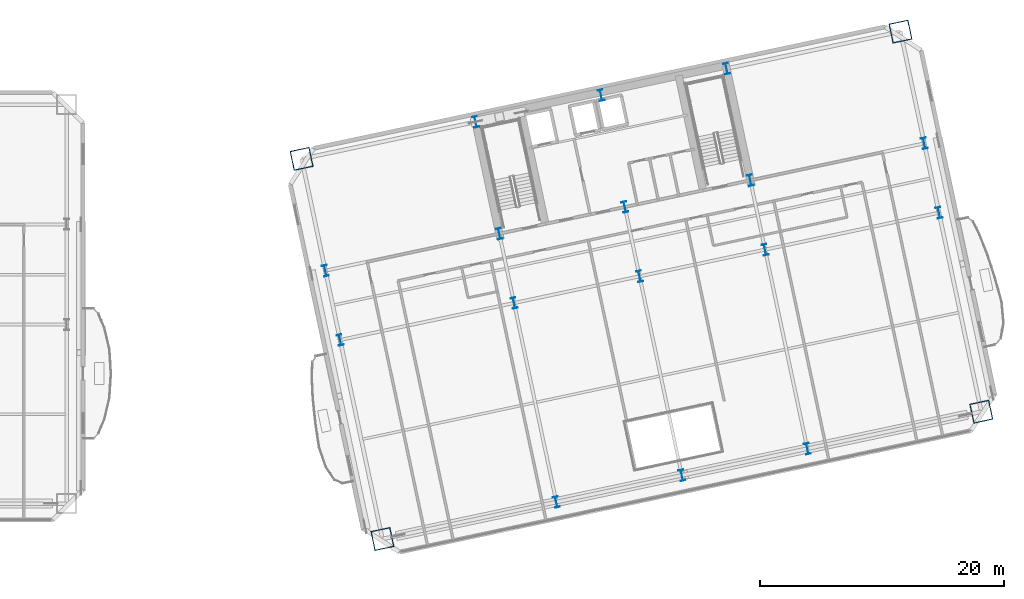
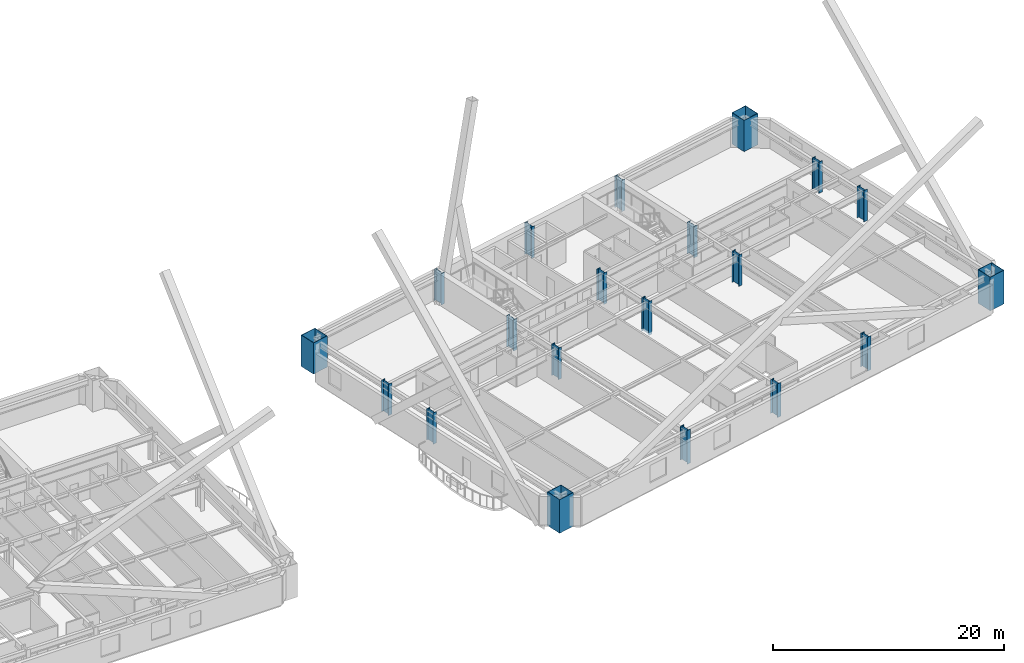
# One storey, part 2 of 20: 20 columns.
"""IFC4 building model written with IfcOpenShell, lengths in metres."""

from ifc_helpers import new_model, si_unit, direction, frame, origin, origin_2d, place, context, subcontext, project, spatial, hollow_rectangle, i_section, extrude, material, material_profile, profile_set, type_object, element, save


model = new_model("IFC4")

# Units and contexts
model_context = context("Model", 3, precision=1e-05, world=origin(), true_north=direction((0.0, 1.0)))
body_context = subcontext(model_context, "Body", "Model", "MODEL_VIEW")
ifc_project = project(units=[si_unit("LENGTHUNIT", "METRE"), si_unit("AREAUNIT", "SQUARE_METRE"), si_unit("VOLUMEUNIT", "CUBIC_METRE"), si_unit("PLANEANGLEUNIT", "RADIAN"), si_unit("MASSUNIT", "GRAM", prefix="KILO")], contexts=[model_context])

# Site, building, storey
site_placement = place(None, origin())
site = spatial("IfcSite", under=ifc_project, at=site_placement, CompositionType="ELEMENT")
building_placement = place(site_placement, origin())
building = spatial("IfcBuilding", under=site, at=building_placement, Name="Haevon Station Towers", CompositionType="ELEMENT")
storey_placement = place(building_placement, frame((0.0, 0.0, 30.60009765625)))
storey = spatial("IfcBuildingStorey", under=building, at=storey_placement, Name="L06", CompositionType="ELEMENT", Elevation=30.60009765625)

# Columns
ifc_material = material(Name="Steel S460", Category="steel")
ifc_material_profile_1 = material_profile(ifc_material, hollow_rectangle(XDim=1.60009765625, YDim=1.60009765625, WallThickness=0.0400390625, at=origin_2d()), Name="BOX-1600x1600x40")
ifc_profile_set_1 = profile_set([ifc_material_profile_1], Name="Steel S460")
column_type_1 = type_object("IfcColumnType", Name="COL-MC1", PredefinedType="COLUMN", material=ifc_profile_set_1)
column_1_placement = place(storey_placement, frame((89.18798828125, 12.457763671875, -0.25), z_axis=(0.0, 0.0, 1.0), x_axis=(0.978147600734, 0.207911690818, 0.0)))
element("IfcColumn", 1, at=column_1_placement, inside=storey, type_object=column_type_1, Name="COL-T2-L06-01-01", PredefinedType="COLUMN", context=body_context, shape_type="SweptSolid", body=[
    extrude(hollow_rectangle(XDim=1.60009765625, YDim=1.60009765625, WallThickness=0.0400390625, at=origin_2d()), origin(), (0.0, 0.0, 1.0), 3.5498046875),
])
column_2_placement = place(storey_placement, frame((82.576416015625, 43.56298828125, 0.0), z_axis=(0.0, 0.0, 1.0), x_axis=(0.978147600734, 0.207911690818, 0.0)))
element("IfcColumn", 2, at=column_2_placement, inside=storey, type_object=column_type_1, Name="COL-T2-L06-01-04", PredefinedType="COLUMN", context=body_context, shape_type="SweptSolid", body=[
    extrude(hollow_rectangle(XDim=1.60009765625, YDim=1.60009765625, WallThickness=0.0400390625, at=origin_2d()), origin(), (0.0, 0.0, 1.0), 3.2998046875),
])
column_3_placement = place(storey_placement, frame((138.193115234375, 22.874267578125, -0.25), z_axis=(0.0, 0.0, 1.0), x_axis=(0.978147600734, 0.207911690818, 0.0)))
element("IfcColumn", 3, at=column_3_placement, inside=storey, type_object=column_type_1, Name="COL-T2-L06-05-01", PredefinedType="COLUMN", context=body_context, shape_type="SweptSolid", body=[
    extrude(hollow_rectangle(XDim=1.60009765625, YDim=1.60009765625, WallThickness=0.0400390625, at=origin_2d()), origin(), (0.0, 0.0, 1.0), 3.5498046875),
])
column_4_placement = place(storey_placement, frame((131.58154296875, 53.979248046875, 0.0), z_axis=(0.0, 0.0, 1.0), x_axis=(0.978147600734, 0.207911690818, 0.0)))
element("IfcColumn", 4, at=column_4_placement, inside=storey, type_object=column_type_1, Name="COL-T2-L06-05-04", PredefinedType="COLUMN", context=body_context, shape_type="SweptSolid", body=[
    extrude(hollow_rectangle(XDim=1.60009765625, YDim=1.60009765625, WallThickness=0.0400390625, at=origin_2d()), origin(), (0.0, 0.0, 1.0), 3.2998046875),
])
ifc_material_profile_2 = material_profile(ifc_material, i_section(OverallWidth=0.39990234375, OverallDepth=0.89990234375, WebThickness=0.02001953125, FlangeThickness=0.035888671875, at=origin_2d()), Name="H-900x400x20x36")
ifc_profile_set_2 = profile_set([ifc_material_profile_2], Name="Steel S460")
column_type_2 = type_object("IfcColumnType", Name="COL-TW1", PredefinedType="COLUMN", material=ifc_profile_set_2)
for number, where, z_axis, x_axis, name in (
    (5, (85.72607421875, 28.744140625, 0.0), (0.0, 0.0, 1.0), (0.978147600734, 0.207911690818, 0.0), "COL-T2-L06-01-02"),
    (6, (84.520263671875, 34.417236328125, 0.0), (0.0, 0.0, 1.0), (0.978147600734, 0.207911690818, 0.0), "COL-T2-L06-01-03"),
):
    element("IfcColumn", number, at=place(storey_placement, frame(where, z_axis=z_axis, x_axis=x_axis)), inside=storey, type_object=column_type_2, Name=name, PredefinedType="COLUMN", context=body_context, shape_type="SweptSolid", body=[
        extrude(i_section(OverallWidth=0.39990234375, OverallDepth=0.89990234375, WebThickness=0.02001953125, FlangeThickness=0.035888671875, at=origin_2d()), origin(), (0.0, 0.0, 1.0), 3.2998046875),
    ])
column_5_placement = place(storey_placement, frame((103.419921875, 15.48291015625, -0.25), z_axis=(0.0, 0.0, 1.0), x_axis=(0.978147600734, 0.207911690818, 0.0)))
element("IfcColumn", 7, at=column_5_placement, inside=storey, type_object=column_type_2, Name="COL-T2-L06-02-01", PredefinedType="COLUMN", context=body_context, shape_type="SweptSolid", body=[
    extrude(i_section(OverallWidth=0.39990234375, OverallDepth=0.89990234375, WebThickness=0.02001953125, FlangeThickness=0.035888671875, at=origin_2d()), origin(), (0.0, 0.0, 1.0), 3.5498046875),
])
for number, where, z_axis, x_axis, name in (
    (8, (99.958251953125, 31.76904296875, 0.0), (0.0, 0.0, 1.0), (0.978147600734, 0.207911690818, 0.0), "COL-T2-L06-02-02"),
    (9, (98.75244140625, 37.4423828125, 0.0), (0.0, 0.0, 1.0), (0.978147600734, 0.207911690818, 0.0), "COL-T2-L06-02-03"),
    (10, (96.808349609375, 46.588134765625, 0.0), (0.0, 0.0, 1.0), (0.978147600734, 0.207911690818, 0.0), "COL-T2-L06-02-04"),
):
    element("IfcColumn", number, at=place(storey_placement, frame(where, z_axis=z_axis, x_axis=x_axis)), inside=storey, type_object=column_type_2, Name=name, PredefinedType="COLUMN", context=body_context, shape_type="SweptSolid", body=[
        extrude(i_section(OverallWidth=0.39990234375, OverallDepth=0.89990234375, WebThickness=0.02001953125, FlangeThickness=0.035888671875, at=origin_2d()), origin(), (0.0, 0.0, 1.0), 3.2998046875),
    ])
for number, where, z_axis, x_axis, name in (
    (11, (113.6904296875, 17.666015625, -0.25), (0.0, 0.0, 1.0), (0.978147600734, 0.207911690818, 0.0), "COL-T2-L06-03-01"),
    (12, (110.228759765625, 33.9521484375, -0.25), (0.0, 0.0, 1.0), (0.978147600734, 0.207911690818, 0.0), "COL-T2-L06-03-02"),
):
    element("IfcColumn", number, at=place(storey_placement, frame(where, z_axis=z_axis, x_axis=x_axis)), inside=storey, type_object=column_type_2, Name=name, PredefinedType="COLUMN", context=body_context, shape_type="SweptSolid", body=[
        extrude(i_section(OverallWidth=0.39990234375, OverallDepth=0.89990234375, WebThickness=0.02001953125, FlangeThickness=0.035888671875, at=origin_2d()), origin(), (0.0, 0.0, 1.0), 3.5498046875),
    ])
for number, where, z_axis, x_axis, name in (
    (13, (109.02294921875, 39.62548828125, 0.0), (0.0, 0.0, 1.0), (0.978147600734, 0.207911690818, 0.0), "COL-T2-L06-03-03"),
    (14, (107.078857421875, 48.771240234375, 0.0), (0.0, 0.0, 1.0), (0.978147600734, 0.207911690818, 0.0), "COL-T2-L06-03-04"),
):
    element("IfcColumn", number, at=place(storey_placement, frame(where, z_axis=z_axis, x_axis=x_axis)), inside=storey, type_object=column_type_2, Name=name, PredefinedType="COLUMN", context=body_context, shape_type="SweptSolid", body=[
        extrude(i_section(OverallWidth=0.39990234375, OverallDepth=0.89990234375, WebThickness=0.02001953125, FlangeThickness=0.035888671875, at=origin_2d()), origin(), (0.0, 0.0, 1.0), 3.2998046875),
    ])
column_6_placement = place(storey_placement, frame((123.961181640625, 19.84912109375, -0.25), z_axis=(0.0, 0.0, 1.0), x_axis=(0.978147600734, 0.207911690818, 0.0)))
element("IfcColumn", 15, at=column_6_placement, inside=storey, type_object=column_type_2, Name="COL-T2-L06-04-01", PredefinedType="COLUMN", context=body_context, shape_type="SweptSolid", body=[
    extrude(i_section(OverallWidth=0.39990234375, OverallDepth=0.89990234375, WebThickness=0.02001953125, FlangeThickness=0.035888671875, at=origin_2d()), origin(), (0.0, 0.0, 1.0), 3.5498046875),
])
for number, where, z_axis, x_axis, name in (
    (16, (120.499267578125, 36.13525390625, 0.0), (0.0, 0.0, 1.0), (0.978147600734, 0.207911690818, 0.0), "COL-T2-L06-04-02"),
    (17, (119.29345703125, 41.80859375, 0.0), (0.0, 0.0, 1.0), (0.978147600734, 0.207911690818, 0.0), "COL-T2-L06-04-03"),
    (18, (117.349365234375, 50.954345703125, 0.0), (0.0, 0.0, 1.0), (0.978147600734, 0.207911690818, 0.0), "COL-T2-L06-04-04"),
    (19, (134.7314453125, 39.160400390625, 0.0), (0.0, 0.0, 1.0), (0.978147600734, 0.207911690818, 0.0), "COL-T2-L06-05-02"),
    (20, (133.525390625, 44.833740234375, 0.0), (0.0, 0.0, 1.0), (0.978147600734, 0.207911690818, 0.0), "COL-T2-L06-05-03"),
):
    element("IfcColumn", number, at=place(storey_placement, frame(where, z_axis=z_axis, x_axis=x_axis)), inside=storey, type_object=column_type_2, Name=name, PredefinedType="COLUMN", context=body_context, shape_type="SweptSolid", body=[
        extrude(i_section(OverallWidth=0.39990234375, OverallDepth=0.89990234375, WebThickness=0.02001953125, FlangeThickness=0.035888671875, at=origin_2d()), origin(), (0.0, 0.0, 1.0), 3.2998046875),
    ])

save(model, "model.ifc")
